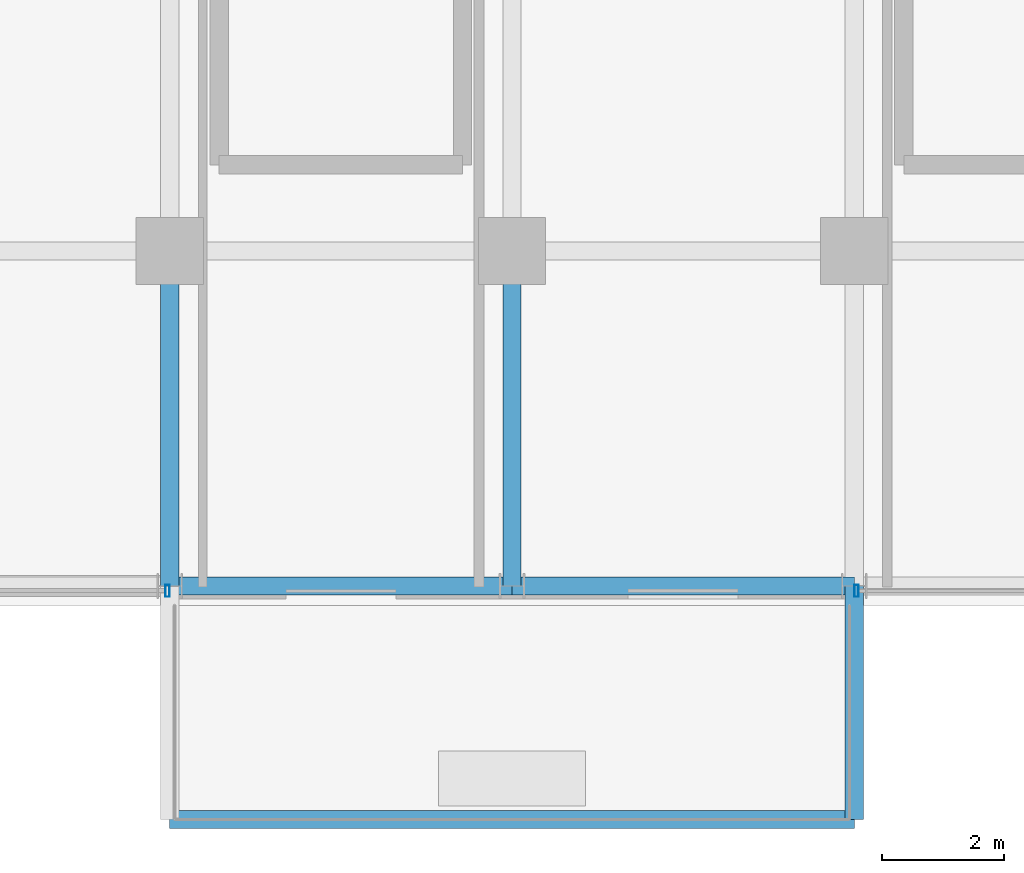
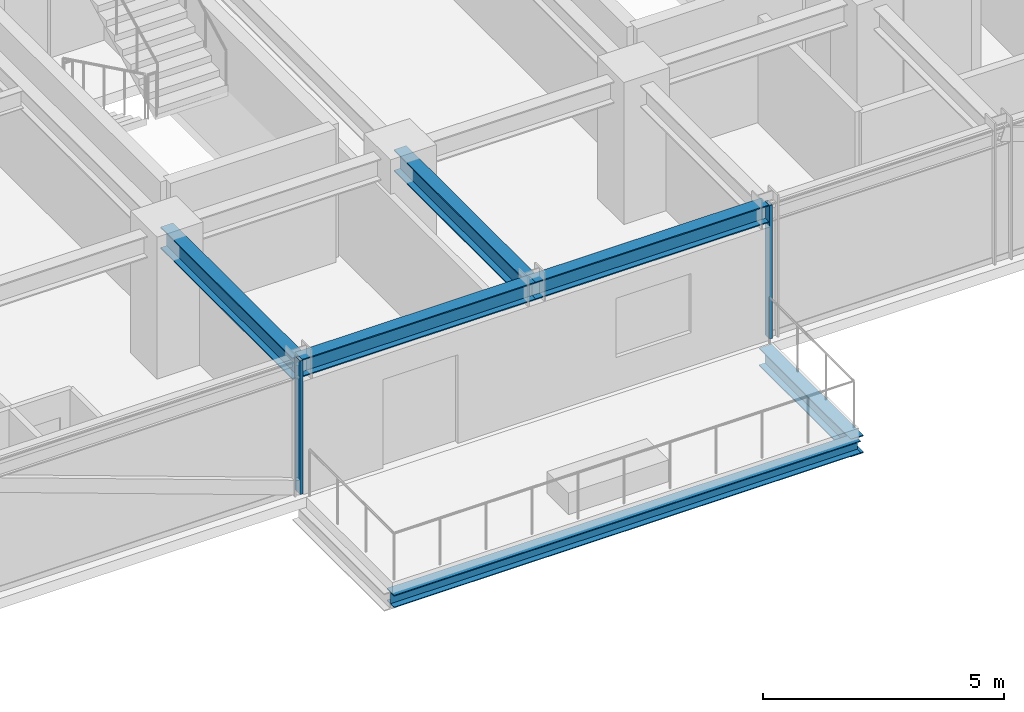
# One storey, part 5 of 35: 6 beams, 2 members, 2 elements without a shape of their own.
"""IFC4 building model written with IfcOpenShell, lengths in metres."""

from ifc_helpers import new_model, si_unit, direction, frame, origin, origin_2d, place, context, subcontext, project, spatial, hollow_rectangle, i_section, extrude, source, transform, mapped, material, material_profile, profile_set, type_object, element, aggregate, save


model = new_model("IFC4")

# Units and contexts
model_context = context("Model", 3, precision=1e-05, world=origin(), true_north=direction((0.0, 1.0)))
body_context = subcontext(model_context, "Body", "Model", "MODEL_VIEW")
ifc_project = project(units=[si_unit("LENGTHUNIT", "METRE"), si_unit("AREAUNIT", "SQUARE_METRE"), si_unit("VOLUMEUNIT", "CUBIC_METRE"), si_unit("PLANEANGLEUNIT", "RADIAN"), si_unit("MASSUNIT", "GRAM", prefix="KILO")], contexts=[model_context])

# Site, building, storey
site_placement = place(None, origin())
site = spatial("IfcSite", under=ifc_project, at=site_placement, CompositionType="ELEMENT")
building_placement = place(site_placement, origin())
building = spatial("IfcBuilding", under=site, at=building_placement, Name="Nahalor Promenade Grand Hotel", CompositionType="ELEMENT")
storey_placement = place(building_placement, frame((0.0, 0.0, 185.5)))
storey = spatial("IfcBuildingStorey", under=building, at=storey_placement, Name="L47", CompositionType="ELEMENT", Elevation=185.5)

# Beams
ifc_material_1 = material(Name="Steel S355JR", Category="steel")
ifc_material_profile_1 = material_profile(ifc_material_1, i_section(OverallWidth=0.3, OverallDepth=0.32, WebThickness=0.0115, FlangeThickness=0.0205, at=origin_2d()), Name="HEB 320")
ifc_profile_set_1 = profile_set([ifc_material_profile_1], Name="Steel S355JR")
beam_type_1 = type_object("IfcBeamType", Name="Beam-BalcEdge-HEB320", PredefinedType="SPANDREL", material=ifc_profile_set_1)
shared_shape_1 = source(origin(), body_context, "Body", "SweptSolid", [
    extrude(i_section(OverallWidth=0.3, OverallDepth=0.32, WebThickness=0.0115, FlangeThickness=0.0205, at=origin_2d()), origin(), (0.0, 0.0, 1.0), 11.199951171875),
])
beam_1_placement = place(storey_placement, frame((-8.39990234375, -26.300048828125, -0.43994140625), z_axis=(1.0, 0.0, 0.0), x_axis=(0.0, 1.0, 0.0)))
element("IfcBeam", 1, at=beam_1_placement, inside=storey, type_object=beam_type_1, Name="BM-L47-BC-01-F", PredefinedType="SPANDREL", context=body_context, shape_type="MappedRepresentation", body=[
    mapped(shared_shape_1, transform((0.0, 0.0, 0.0), scale=1.0)),
])
ifc_material_profile_2 = material_profile(ifc_material_1, i_section(OverallWidth=0.3, OverallDepth=0.45, WebThickness=0.014, FlangeThickness=0.026, at=origin_2d()), Name="HEB 450")
ifc_profile_set_2 = profile_set([ifc_material_profile_2], Name="Steel S355JR")
beam_type_2 = type_object("IfcBeamType", Name="Beam-Outrigger-HEB450", PredefinedType="BEAM", material=ifc_profile_set_2)
shared_shape_2 = source(origin(), body_context, "Body", "SweptSolid", [
    extrude(i_section(OverallWidth=0.3, OverallDepth=0.45, WebThickness=0.014, FlangeThickness=0.026, at=origin_2d()), origin(), (0.0, 0.0, 1.0), 3.820068359375),
])
beam_2_placement = place(storey_placement, frame((2.800048828125, -26.300048828125, -0.5048828125), z_axis=(0.0, 1.0, 0.0), x_axis=(-1.0, 0.0, 0.0)))
element("IfcBeam", 2, at=beam_2_placement, inside=storey, type_object=beam_type_2, Name="BM-L47-BC-01-2", PredefinedType="BEAM", context=body_context, shape_type="MappedRepresentation", body=[
    mapped(shared_shape_2, transform((0.0, 0.0, 0.0), scale=1.0)),
])
ifc_material_profile_3 = material_profile(ifc_material_1, i_section(OverallWidth=0.3, OverallDepth=0.55, WebThickness=0.015, FlangeThickness=0.029, at=origin_2d()), Name="HEB 550")
ifc_profile_set_3 = profile_set([ifc_material_profile_3], Name="Steel S355JR")
beam_type_3 = type_object("IfcBeamType", Name="Beam-Girder-HEB550", PredefinedType="BEAM", material=ifc_profile_set_3)
shared_shape_3 = source(origin(), body_context, "Body", "SweptSolid", [
    extrude(i_section(OverallWidth=0.3, OverallDepth=0.55, WebThickness=0.015, FlangeThickness=0.029, at=origin_2d()), origin(), (0.0, 0.0, 1.0), 5.47998046875),
])
for number, where, z_axis, x_axis, name in (
    (3, (-8.39990234375, -22.47998046875, 3.114990234375), (0.0, 1.0, 0.0), (-1.0, 0.0, 0.0), "BM-L47-GY-1-0"),
    (4, (-2.800048828125, -22.47998046875, 3.114990234375), (0.0, 1.0, 0.0), (-1.0, 0.0, 0.0), "BM-L47-GY-2-0"),
):
    element("IfcBeam", number, at=place(storey_placement, frame(where, z_axis=z_axis, x_axis=x_axis)), inside=storey, type_object=beam_type_3, Name=name, PredefinedType="BEAM", context=body_context, shape_type="MappedRepresentation", body=[
        mapped(shared_shape_3, transform((0.0, 0.0, 0.0), scale=1.0)),
    ])
ifc_material_profile_4 = material_profile(ifc_material_1, i_section(OverallWidth=0.3, OverallDepth=0.45, WebThickness=0.014, FlangeThickness=0.026, at=origin_2d()), Name="HEB 450")
ifc_profile_set_4 = profile_set([ifc_material_profile_4], Name="Steel S355JR")
beam_type_4 = type_object("IfcBeamType", Name="Beam-Spandrel-HEB450", PredefinedType="SPANDREL", material=ifc_profile_set_4)
shared_shape_4 = source(origin(), body_context, "Body", "SweptSolid", [
    extrude(i_section(OverallWidth=0.3, OverallDepth=0.45, WebThickness=0.014, FlangeThickness=0.026, at=origin_2d()), origin(), (0.0, 0.0, 1.0), 5.599853515625),
])
beam_3_placement = place(storey_placement, frame((-8.39990234375, -22.47998046875, 3.1650390625), z_axis=(1.0, 0.0, 0.0), x_axis=(0.0, 1.0, 0.0)))
element("IfcBeam", 5, at=beam_3_placement, inside=storey, type_object=beam_type_4, Name="BM-L47-SP-S-1", PredefinedType="SPANDREL", context=body_context, shape_type="MappedRepresentation", body=[
    mapped(shared_shape_4, transform((0.0, 0.0, 0.0), scale=1.0)),
])
shared_shape_5 = source(origin(), body_context, "Body", "SweptSolid", [
    extrude(i_section(OverallWidth=0.3, OverallDepth=0.45, WebThickness=0.014, FlangeThickness=0.026, at=origin_2d()), origin(), (0.0, 0.0, 1.0), 5.60009765625),
])
beam_4_placement = place(storey_placement, frame((-2.800048828125, -22.47998046875, 3.1650390625), z_axis=(1.0, 0.0, 0.0), x_axis=(0.0, 1.0, 0.0)))
element("IfcBeam", 6, at=beam_4_placement, inside=storey, type_object=beam_type_4, Name="BM-L47-SP-S-2", PredefinedType="SPANDREL", context=body_context, shape_type="MappedRepresentation", body=[
    mapped(shared_shape_5, transform((0.0, 0.0, 0.0), scale=1.0)),
])

# Curtain wall, member
ifc_material_2 = material(Name="Anodised Bronze Aluminium EN AW-6063 T6", Category="aluminium")
curtain_wall_type = type_object("IfcCurtainWallType", Name="CW3 Elliptical-Void Collar Unitised Curtain Wall", PredefinedType="USERDEFINED", material=ifc_material_2)
curtain_wall_1_placement = place(storey_placement, origin())
curtain_wall_1 = element("IfcCurtainWall", 7, at=curtain_wall_1_placement, inside=storey, type_object=curtain_wall_type, Name="L47 Curtain Wall CW-L47-S-1", ObjectType="UNITISED_CURTAIN_WALL", PredefinedType="USERDEFINED")
ifc_material_profile_5 = material_profile(ifc_material_2, hollow_rectangle(XDim=0.07, YDim=0.2, WallThickness=0.005, at=origin_2d()), Name="CWM 70x200x5")
ifc_profile_set_5 = profile_set([ifc_material_profile_5], Name="Anodised Bronze Aluminium EN AW-6063 T6")
member_type = type_object("IfcMemberType", Name="CWM3 Void Collar Mullion 70x200", PredefinedType="MULLION", material=ifc_profile_set_5)
shared_shape_6 = source(origin(), body_context, "Body", "SweptSolid", [
    extrude(hollow_rectangle(XDim=0.07, YDim=0.2, WallThickness=0.005, at=origin_2d()), origin(), (0.0, 0.0, 1.0), 3.389892578125),
])
member_1_placement = place(storey_placement, frame((-8.43505859375, -22.56005859375, 0.0), z_axis=(0.0, 0.0, 1.0), x_axis=(1.0, 0.0, 0.0)))
member_1 = element("IfcMember", 8, at=member_1_placement, type_object=member_type, Name="CW-L47-S-1 Mullion 1", PredefinedType="MULLION", context=body_context, shape_type="MappedRepresentation", body=[
    mapped(shared_shape_6, transform((0.0, 0.0, 0.0), scale=1.0)),
])
aggregate(curtain_wall_1, [member_1])

curtain_wall_2_placement = place(storey_placement, origin())
curtain_wall_2 = element("IfcCurtainWall", 9, at=curtain_wall_2_placement, inside=storey, type_object=curtain_wall_type, Name="L47 Curtain Wall CW-L47-S-3", ObjectType="UNITISED_CURTAIN_WALL", PredefinedType="USERDEFINED")
member_2_placement = place(storey_placement, frame((2.8349609375, -22.56005859375, 0.0), z_axis=(0.0, 0.0, 1.0), x_axis=(1.0, 0.0, 0.0)))
member_2 = element("IfcMember", 10, at=member_2_placement, type_object=member_type, Name="CW-L47-S-3 Mullion 0", PredefinedType="MULLION", context=body_context, shape_type="MappedRepresentation", body=[
    mapped(shared_shape_6, transform((0.0, 0.0, 0.0), scale=1.0)),
])
aggregate(curtain_wall_2, [member_2])

save(model, "model.ifc")
